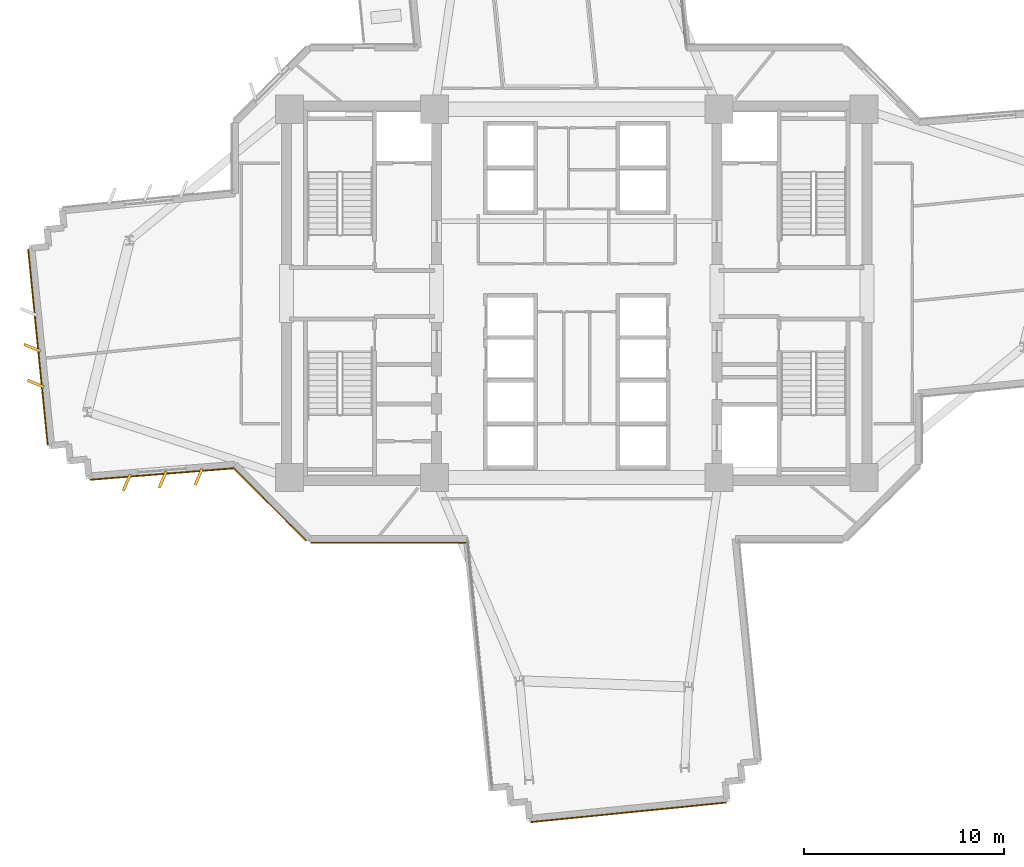
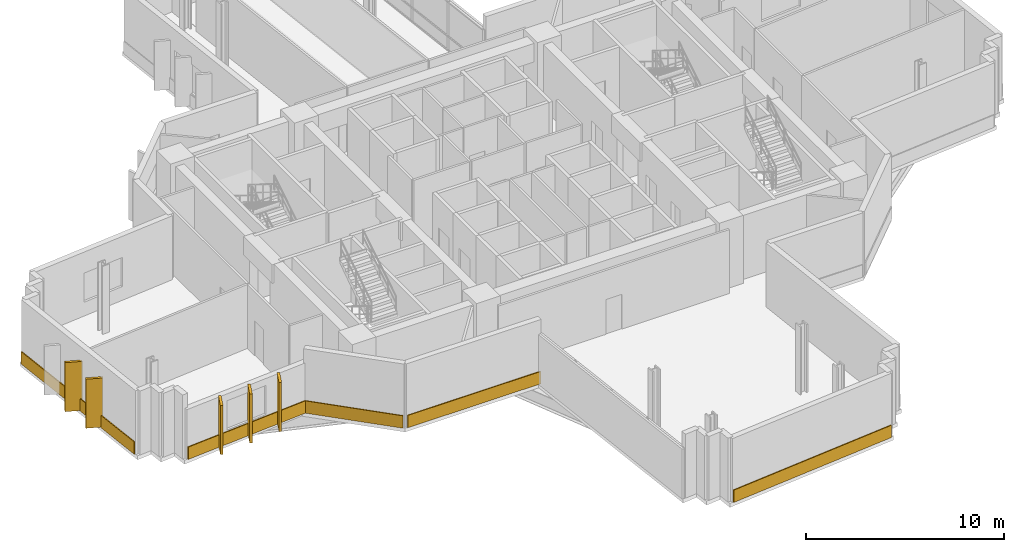
# One storey, part 11 of 14: 10 coverings.
"""IFC4 building model written with IfcOpenShell, lengths in metres."""

import ifcopenshell
import ifcopenshell.guid

model = None  # the IFC model being written
_history = None  # IfcOwnerHistory: only IFC2X3 demands one
_inside = {}  # id of a spatial element -> (the spatial element, [elements in it])
_under = {}  # id of a project, library or spatial element -> (it, [spatial elements below it])
_declared = {}  # id of a project -> (the project, [libraries it declares])
_typed = {}  # id of a type object -> (the type object, [elements of that type])
_made_of = {}  # id of a material, layer set ... -> (it, [elements and type objects made of it])


def new_model(schema):
    """Start an empty IFC model of exactly this schema.

    Asked for "IFC4X3", IfcOpenShell would pick the latest addendum, in which some entities
    have other attributes; the version numbers below select the first issue.
    IFC2X3 requires an IfcOwnerHistory on every rooted entity: one is made here for all.
    """
    global model, _history
    if schema == "IFC4X3":
        model = ifcopenshell.file(schema_version=(4, 3, 0, 0))
    else:
        model = ifcopenshell.file(schema=schema)
    _inside.clear()
    _under.clear()
    _declared.clear()
    _typed.clear()
    _made_of.clear()
    _history = None
    if model.schema == "IFC2X3":
        org = make("IfcOrganization", Name="unknown")
        user = make(
            "IfcPersonAndOrganization",
            ThePerson=make("IfcPerson", FamilyName="unknown"),
            TheOrganization=org,
        )
        app = make(
            "IfcApplication",
            ApplicationDeveloper=org,
            Version="unknown",
            ApplicationFullName="unknown",
            ApplicationIdentifier="unknown",
        )
        _history = make(
            "IfcOwnerHistory",
            OwningUser=user,
            OwningApplication=app,
            ChangeAction="ADDED",
            CreationDate=0,
        )
    return model


def make(cls, **values):
    """One entity of the class cls with the attributes given. An attribute that is None is left unset."""
    return model.create_entity(
        cls, **{name: value for name, value in values.items() if value is not None}
    )


def rooted(cls, **values):
    """An entity with a GlobalId (a new one), such as an element, a storey or a relation."""
    return make(cls, GlobalId=ifcopenshell.guid.new(), OwnerHistory=_history, **values)


def si_unit(unit_type, name, prefix=None):
    """IfcSIUnit, for example si_unit("LENGTHUNIT", "METRE", prefix="MILLI")."""
    return make("IfcSIUnit", UnitType=unit_type, Prefix=prefix, Name=name)


def assignment(units):
    """IfcUnitAssignment: the units of a project."""
    return None if units is None else make("IfcUnitAssignment", Units=units)


def point(xyz):
    """IfcCartesianPoint."""
    return None if xyz is None else make("IfcCartesianPoint", Coordinates=xyz)


def direction(xyz):
    """IfcDirection."""
    return None if xyz is None else make("IfcDirection", DirectionRatios=xyz)


def frame(location, z_axis=None, x_axis=None):
    """IfcAxis2Placement3D, a coordinate frame: its origin and axes. An axis left out is left unset."""
    return make(
        "IfcAxis2Placement3D",
        Location=point(location),
        Axis=direction(z_axis),
        RefDirection=direction(x_axis),
    )


def frame_2d(location, x_axis=None):
    """IfcAxis2Placement2D, a coordinate frame in the plane: its origin and x axis."""
    return make(
        "IfcAxis2Placement2D", Location=point(location), RefDirection=direction(x_axis)
    )


def origin():
    """The frame at (0, 0, 0) with its axes left unset."""
    return frame((0.0, 0.0, 0.0))


def origin_2d():
    """The frame at (0, 0) in the plane with its x axis left unset."""
    return frame_2d((0.0, 0.0))


def place(relative_to, where):
    """IfcLocalPlacement: puts the frame where relative to a parent placement (None: the world)."""
    return make(
        "IfcLocalPlacement", PlacementRelTo=relative_to, RelativePlacement=where
    )


def context(
    kind, dimensions, precision=None, world=None, true_north=None, identifier=None
):
    """IfcGeometricRepresentationContext, for example the 3D "Model" context."""
    return make(
        "IfcGeometricRepresentationContext",
        ContextIdentifier=identifier,
        ContextType=kind,
        CoordinateSpaceDimension=dimensions,
        Precision=precision,
        WorldCoordinateSystem=world,
        TrueNorth=true_north,
    )


def subcontext(parent, identifier, kind, view, scale=None):
    """IfcGeometricRepresentationSubContext, for example "Body" below "Model"."""
    return make(
        "IfcGeometricRepresentationSubContext",
        ContextIdentifier=identifier,
        ContextType=kind,
        ParentContext=parent,
        TargetScale=scale,
        TargetView=view,
    )


def project(units=None, contexts=None):
    """IfcProject with its units and contexts."""
    return rooted(
        "IfcProject",
        Name="project",
        RepresentationContexts=contexts,
        UnitsInContext=assignment(units),
    )


def spatial(cls, under=None, at=None, **own):
    """A site, building, storey or space (cls), placed at a placement, below another one or the project."""
    s = rooted(cls, ObjectPlacement=at, **own)
    if under is not None:
        _under.setdefault(under.id(), (under, []))[1].append(s)
    return s


def profile(cls, at=None, kind="AREA", **sizes):
    """A parametric profile (cls). Its sizes go by their IFC names, for example OverallWidth=200.0."""
    return make(cls, ProfileType=kind, Position=at, **sizes)


def rectangle(**sizes):
    """IfcRectangleProfileDef."""
    return profile("IfcRectangleProfileDef", **sizes)


def extrude(swept, where, along, depth):
    """IfcExtrudedAreaSolid: the profile swept, set in the frame where, extruded along a direction by depth."""
    return make(
        "IfcExtrudedAreaSolid",
        SweptArea=swept,
        Position=where,
        ExtrudedDirection=direction(along),
        Depth=depth,
    )


def shape(context_of_items, identifier, shape_type, items):
    """IfcShapeRepresentation: the items that make up one representation, for example the "Body"."""
    return make(
        "IfcShapeRepresentation",
        ContextOfItems=context_of_items,
        RepresentationIdentifier=identifier,
        RepresentationType=shape_type,
        Items=items,
    )


def source(mapping_origin, context_of_items, identifier, shape_type, items):
    """IfcRepresentationMap: a shape defined once, which mapped items show again and again."""
    return make(
        "IfcRepresentationMap",
        MappingOrigin=mapping_origin,
        MappedRepresentation=shape(context_of_items, identifier, shape_type, items),
    )


def transform(
    local_origin,
    x_axis=None,
    y_axis=None,
    z_axis=None,
    scale=None,
    scale2=None,
    scale3=None,
    uniform=True,
):
    """IfcCartesianTransformationOperator3D, or its non-uniform kind. x_axis, y_axis, z_axis: its Axis1, 2, 3."""
    if uniform:
        return make(
            "IfcCartesianTransformationOperator3D",
            Axis1=direction(x_axis),
            Axis2=direction(y_axis),
            LocalOrigin=point(local_origin),
            Scale=scale,
            Axis3=direction(z_axis),
        )
    return make(
        "IfcCartesianTransformationOperator3DnonUniform",
        Axis1=direction(x_axis),
        Axis2=direction(y_axis),
        LocalOrigin=point(local_origin),
        Scale=scale,
        Axis3=direction(z_axis),
        Scale2=scale2,
        Scale3=scale3,
    )


def mapped(mapping_source, mapping_target):
    """IfcMappedItem: shows the shape of a source again, moved by a transform."""
    return make(
        "IfcMappedItem", MappingSource=mapping_source, MappingTarget=mapping_target
    )


def material(Name=None, Category=None):
    """IfcMaterial."""
    return make("IfcMaterial", Name=Name, Category=Category)


def layer(
    of_material, thickness, ventilated=None, Name=None, Category=None, Priority=None
):
    """IfcMaterialLayer: one layer of a wall or slab, of a material (None: an air gap)."""
    return make(
        "IfcMaterialLayer",
        Material=of_material,
        LayerThickness=thickness,
        IsVentilated=ventilated,
        Name=Name,
        Category=Category,
        Priority=Priority,
    )


def layer_set(layers, Name=None):
    """IfcMaterialLayerSet."""
    return make("IfcMaterialLayerSet", MaterialLayers=layers, LayerSetName=Name)


def made_of(thing, what):
    """Note that an element or type object is made of a material, layer set ...; save() writes the relation."""
    if what is not None:
        _made_of.setdefault(what.id(), (what, []))[1].append(thing)
    return thing


def type_object(cls, material=None, **own):
    """A type object (cls), such as IfcWallType, which elements share."""
    return made_of(rooted(cls, **own), material)


def element(
    cls,
    number,
    at=None,
    inside=None,
    cuts=None,
    type_object=None,
    material=None,
    context=None,
    identifier="Body",
    shape_type=None,
    held_by="IfcProductDefinitionShape",
    body=None,
    shapes=None,
    **own,
):
    """One element of the class cls, such as IfcWall. Its Tag is "e" and its number.

    at: its placement. inside: the storey or other place that contains it. cuts: it is an
    opening in that element (IfcRelVoidsElement). A single representation is given by context,
    identifier, shape_type and body (its items); several are given by shapes. held_by: the class
    of the entity that holds the representations. save() writes the other relations.
    """
    e = rooted(cls, Tag="e%d" % number, ObjectPlacement=at, **own)
    if body is not None:
        shapes = [shape(context, identifier, shape_type, body)]
    if shapes is not None:
        e.Representation = make(held_by, Representations=shapes)
    if inside is not None:
        _inside.setdefault(inside.id(), (inside, []))[1].append(e)
    if cuts is not None:
        rooted(
            "IfcRelVoidsElement", RelatingBuildingElement=cuts, RelatedOpeningElement=e
        )
    if type_object is not None:
        _typed.setdefault(type_object.id(), (type_object, []))[1].append(e)
    return made_of(e, material)


def aggregate(whole, parts):
    """IfcRelAggregates: a whole, such as a stair, and the parts it consists of."""
    return rooted("IfcRelAggregates", RelatingObject=whole, RelatedObjects=parts)


def save(model, path):
    """Write the relations noted so far, then the file.

    IfcRelAggregates (storeys below a building ...), IfcRelContainedInSpatialStructure (elements
    in a storey), IfcRelDefinesByType, IfcRelAssociatesMaterial and IfcRelDeclares: one each for
    every whole, place, type object, material and project.
    """
    for whole, parts in _under.values():
        aggregate(whole, parts)
    for where, things in _inside.values():
        rooted(
            "IfcRelContainedInSpatialStructure",
            RelatedElements=things,
            RelatingStructure=where,
        )
    for kind, things in _typed.values():
        rooted("IfcRelDefinesByType", RelatedObjects=things, RelatingType=kind)
    for what, things in _made_of.values():
        rooted("IfcRelAssociatesMaterial", RelatedObjects=things, RelatingMaterial=what)
    for by, libraries in _declared.values():
        rooted("IfcRelDeclares", RelatingContext=by, RelatedDefinitions=libraries)
    model.write(path)


model = new_model("IFC4")

# Units and contexts
model_context = context("Model", 3, precision=1e-05, world=origin(), true_north=direction((0.0, 1.0)))
body_context = subcontext(model_context, "Body", "Model", "MODEL_VIEW")
ifc_project = project(units=[si_unit("LENGTHUNIT", "METRE"), si_unit("AREAUNIT", "SQUARE_METRE"), si_unit("VOLUMEUNIT", "CUBIC_METRE"), si_unit("PLANEANGLEUNIT", "RADIAN"), si_unit("MASSUNIT", "GRAM", prefix="KILO")], contexts=[model_context])

# Site, building, storey
site_placement = place(None, origin())
site = spatial("IfcSite", under=ifc_project, at=site_placement, CompositionType="ELEMENT")
building_placement = place(site_placement, origin())
building = spatial("IfcBuilding", under=site, at=building_placement, Name="Zahravan Cultural Tower", CompositionType="ELEMENT")
storey_placement = place(building_placement, frame((0.0, 0.0, 96.300048828125)))
storey = spatial("IfcBuildingStorey", under=building, at=storey_placement, Name="L21", CompositionType="ELEMENT", Elevation=96.300048828125)

# Coverings
ifc_material = material(Name="Terracotta ceramic cladding", Category="masonry")
ifc_layer = layer(ifc_material, 0.06005859375)
ifc_layer_set = layer_set([ifc_layer], Name="Terracotta ceramic cladding")
covering_type = type_object("IfcCoveringType", Name="COV-CLAD-TC60", PredefinedType="CLADDING", material=ifc_layer_set)
shared_shape_1 = source(origin(), body_context, "Body", "SweptSolid", [
    extrude(rectangle(XDim=9.820068359375, YDim=0.06005859375, at=origin_2d()), origin(), (0.0, 0.0, 1.0), 0.760009765625),
])
for number, where, z_axis, x_axis, name in (
    (1, (9.088623046875, 24.31396484375, 0.02001953125), (0.0, 0.0, 1.0), (-0.099319749744, 0.995055569961, 0.0), "L21 Terracotta Spandrel Cladding 06"),
    (2, (38.5869140625, 1.083740234375, 0.02001953125), (0.0, 0.0, 1.0), (-0.995055569961, -0.099319749744, 0.0), "L21 Terracotta Spandrel Cladding 46"),
):
    element("IfcCovering", number, at=place(storey_placement, frame(where, z_axis=z_axis, x_axis=x_axis)), inside=storey, type_object=covering_type, Name=name, PredefinedType="CLADDING", context=body_context, shape_type="MappedRepresentation", body=[
        mapped(shared_shape_1, transform((0.0, 0.0, 0.0), x_axis=(1.0, 0.0, 0.0), y_axis=(0.0, 1.0, 0.0), z_axis=(0.0, 0.0, 1.0), scale=1.0)),
    ])
shared_shape_2 = source(origin(), body_context, "Body", "SweptSolid", [
    extrude(rectangle(XDim=5.157958984375, YDim=0.06005859375, at=origin_2d()), origin(), (0.0, 0.0, 1.0), 0.760009765625),
])
covering_1_placement = place(storey_placement, frame((20.668212890625, 16.46826171875, 0.02001953125), z_axis=(0.0, 0.0, 1.0), x_axis=(-0.707106781187, 0.707106781187, 0.0)))
element("IfcCovering", 3, at=covering_1_placement, inside=storey, type_object=covering_type, Name="L21 Terracotta Spandrel Cladding 52", PredefinedType="CLADDING", context=body_context, shape_type="MappedRepresentation", body=[
    mapped(shared_shape_2, transform((0.0, 0.0, 0.0), x_axis=(1.0, 0.0, 0.0), y_axis=(0.0, 1.0, 0.0), z_axis=(0.0, 0.0, 1.0), scale=1.0)),
])
shared_shape_3 = source(origin(), body_context, "Body", "SweptSolid", [
    extrude(rectangle(XDim=0.8798828125, YDim=0.139892578125, at=origin_2d()), origin(), (0.0, 0.0, 1.0), 3.030029296875),
])
for number, where, z_axis, x_axis, name in (
    (4, (17.114501953125, 17.8408203125, 0.0498046875), (0.0, 0.0, 1.0), (-0.397708440899, -0.917511850625, 0.0), "L21 Herringbone Terracotta Fin 01"),
    (5, (15.3203125, 17.697509765625, 0.0498046875), (0.0, 0.0, 1.0), (-0.397708440899, -0.917511850625, 0.0), "L21 Herringbone Terracotta Fin 02"),
    (6, (13.526123046875, 17.55419921875, 0.0498046875), (0.0, 0.0, 1.0), (-0.397708440899, -0.917511850625, 0.0), "L21 Herringbone Terracotta Fin 03"),
    (7, (8.98388671875, 22.494384765625, 0.0498046875), (0.0, 0.0, 1.0), (-0.925209718386, 0.379456159529, 0.0), "L21 Herringbone Terracotta Fin 04"),
    (8, (8.80517578125, 24.28564453125, 0.0498046875), (0.0, 0.0, 1.0), (-0.925209718386, 0.379456159529, 0.0), "L21 Herringbone Terracotta Fin 05"),
):
    element("IfcCovering", number, at=place(storey_placement, frame(where, z_axis=z_axis, x_axis=x_axis)), inside=storey, type_object=covering_type, Name=name, PredefinedType="CLADDING", context=body_context, shape_type="MappedRepresentation", body=[
        mapped(shared_shape_3, transform((0.0, 0.0, 0.0), x_axis=(1.0, 0.0, 0.0), y_axis=(0.0, 1.0, 0.0), z_axis=(0.0, 0.0, 1.0), scale=1.0)),
    ])
shared_shape_4 = source(origin(), body_context, "Body", "SweptSolid", [
    extrude(rectangle(XDim=7.2373046875, YDim=0.06005859375, at=origin_2d()), origin(), (0.0, 0.0, 1.0), 0.760009765625),
])
covering_2_placement = place(storey_placement, frame((15.297607421875, 17.981689453125, 0.02001953125), z_axis=(0.0, 0.0, 1.0), x_axis=(-0.996827683211, -0.079590011836, 0.0)))
element("IfcCovering", 9, at=covering_2_placement, inside=storey, type_object=covering_type, Name="L21 Terracotta Spandrel Cladding 01", PredefinedType="CLADDING", context=body_context, shape_type="MappedRepresentation", body=[
    mapped(shared_shape_4, transform((0.0, 0.0, 0.0), x_axis=(1.0, 0.0, 0.0), y_axis=(0.0, 1.0, 0.0), z_axis=(0.0, 0.0, 1.0), scale=1.0)),
])
shared_shape_5 = source(origin(), body_context, "Body", "SweptSolid", [
    extrude(rectangle(XDim=7.772705078125, YDim=0.06005859375, at=origin_2d()), origin(), (0.0, 0.0, 1.0), 0.760009765625),
])
covering_3_placement = place(storey_placement, frame((26.59423828125, 14.554931640625, 0.02001953125), z_axis=(0.0, 0.0, 1.0), x_axis=(-1.0, 0.0, 0.0)))
element("IfcCovering", 10, at=covering_3_placement, inside=storey, type_object=covering_type, Name="L21 Terracotta Spandrel Cladding 51", PredefinedType="CLADDING", context=body_context, shape_type="MappedRepresentation", body=[
    mapped(shared_shape_5, transform((0.0, 0.0, 0.0), x_axis=(1.0, 0.0, 0.0), y_axis=(0.0, 1.0, 0.0), z_axis=(0.0, 0.0, 1.0), scale=1.0)),
])

save(model, "model.ifc")
